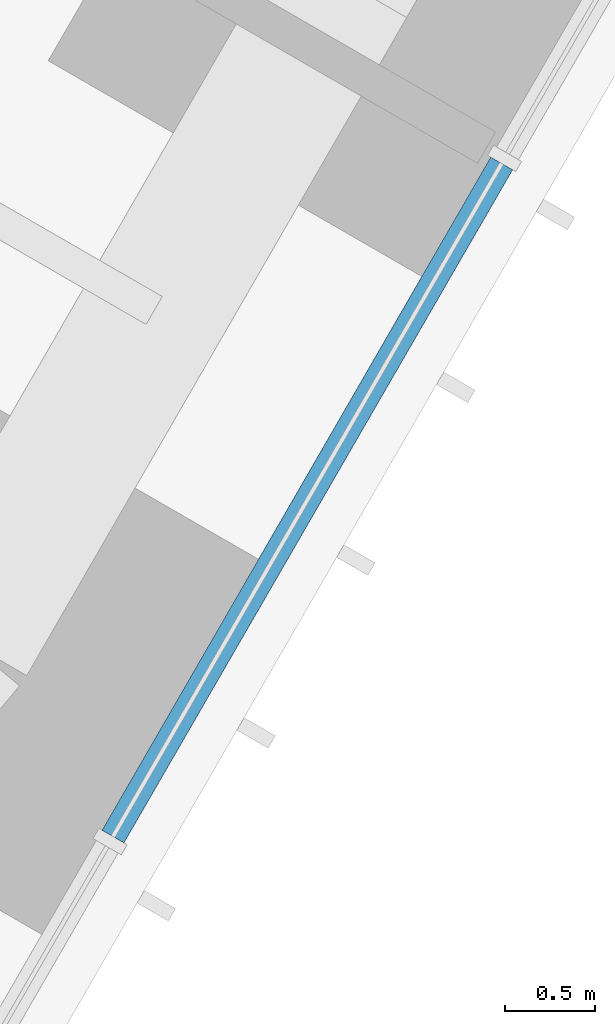
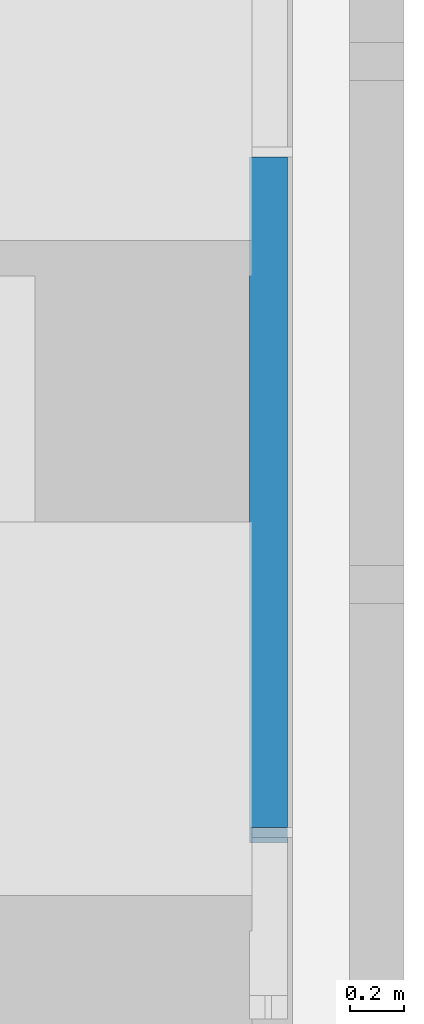
# One storey, part 88 of 256: 1 member, 1 element without a shape of its own.
"""IFC4 building model written with IfcOpenShell, lengths in metres."""

from ifc_helpers import new_model, si_unit, direction, frame, origin, origin_2d, place, context, subcontext, project, spatial, rectangle, extrude, material, material_profile, profile_set, type_object, element, aggregate, save


model = new_model("IFC4")

# Units and contexts
model_context = context("Model", 3, precision=1e-05, world=origin(), true_north=direction((0.0, 1.0)))
body_context = subcontext(model_context, "Body", "Model", "MODEL_VIEW")
ifc_project = project(units=[si_unit("LENGTHUNIT", "METRE"), si_unit("AREAUNIT", "SQUARE_METRE"), si_unit("VOLUMEUNIT", "CUBIC_METRE"), si_unit("PLANEANGLEUNIT", "RADIAN"), si_unit("MASSUNIT", "GRAM", prefix="KILO")], contexts=[model_context])

# Site, building, storey
site_placement = place(None, origin())
site = spatial("IfcSite", under=ifc_project, at=site_placement, CompositionType="ELEMENT")
building_placement = place(site_placement, origin())
building = spatial("IfcBuilding", under=site, at=building_placement, Name="Sandreach Pilgrim Tower", CompositionType="ELEMENT")
storey_placement = place(building_placement, frame((0.0, 0.0, 23.0)))
storey = spatial("IfcBuildingStorey", under=building, at=storey_placement, Name="L04", CompositionType="ELEMENT", Elevation=23.0)

# Curtain wall, member
ifc_material_1 = material(Name="Aluminium framed curtain wall", Category="aluminium")
curtain_wall_type = type_object("IfcCurtainWallType", Name="Hostel tower curtain wall", PredefinedType="NOTDEFINED", material=ifc_material_1)
curtain_wall_placement = place(storey_placement, origin())
curtain_wall = element("IfcCurtainWall", 1, at=curtain_wall_placement, inside=storey, type_object=curtain_wall_type, Name="CW-1 L04 SE", PredefinedType="NOTDEFINED")
ifc_material_2 = material(Name="Aluminium extrusion", Category="aluminium")
ifc_material_profile = material_profile(ifc_material_2, rectangle(XDim=0.139892578125, YDim=0.070068359375, at=origin_2d()), Name="CW-1T 140X70")
ifc_profile_set = profile_set([ifc_material_profile], Name="Aluminium extrusion")
member_type = type_object("IfcMemberType", Name="CW-1 transom", PredefinedType="USERDEFINED", material=ifc_profile_set)
member_placement = place(storey_placement, frame((15.259521484375, -21.46728515625, 3.60498046875), z_axis=(-0.500016891966, -0.866015650984, 0.0), x_axis=(0.866015650984, -0.500016891966, 0.0)))
member = element("IfcMember", 2, at=member_placement, type_object=member_type, Name="CW-1 head transom 8", ObjectType="TRANSOM", PredefinedType="USERDEFINED", context=body_context, shape_type="SweptSolid", body=[
    extrude(rectangle(XDim=0.139892578125, YDim=0.070068359375, at=origin_2d()), origin(), (0.0, 0.0, 1.0), 4.306396484375),
])
aggregate(curtain_wall, [member])

save(model, "model.ifc")
